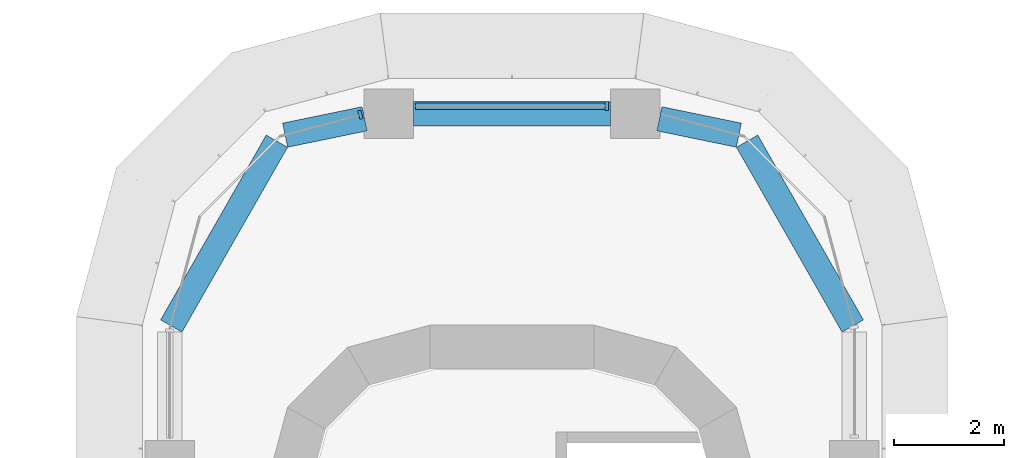
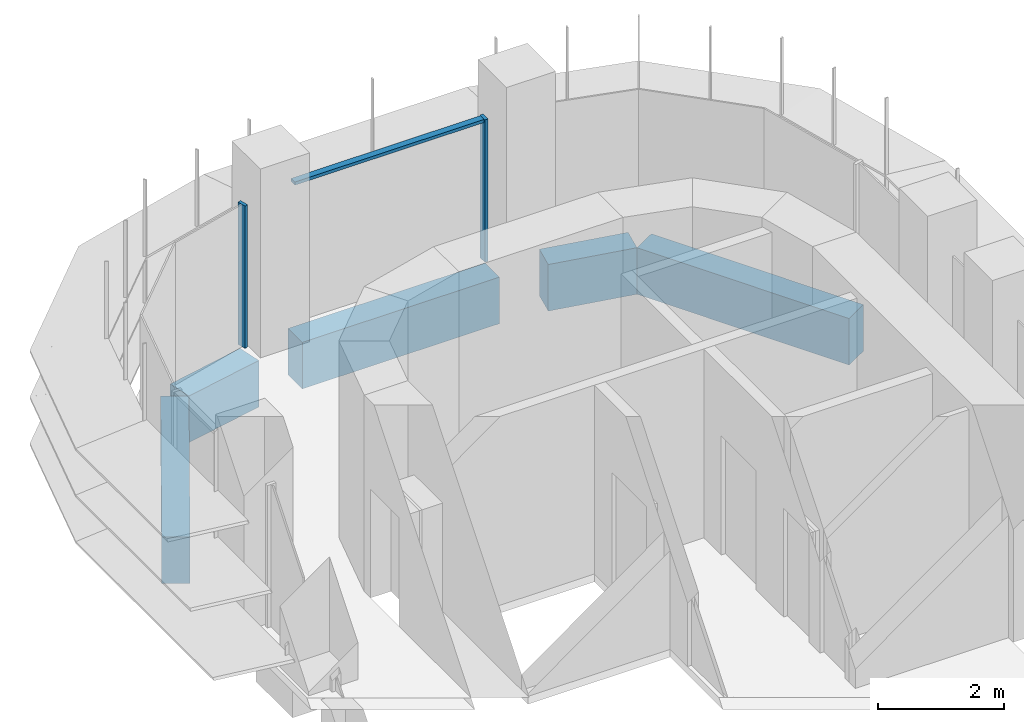
# One storey, part 12 of 23: 5 beams, 3 members, 2 elements without a shape of their own.
"""IFC4 building model written with IfcOpenShell, lengths in metres."""

from ifc_helpers import new_model, si_unit, direction, frame, origin, origin_2d, place, context, subcontext, project, spatial, polyline, rectangle, outline, extrude, source, transform, mapped, material, material_profile, profile_set, type_object, element, aggregate, save


model = new_model("IFC4")

# Units and contexts
model_context = context("Model", 3, precision=1e-05, world=origin(), true_north=direction((0.0, 1.0)))
body_context = subcontext(model_context, "Body", "Model", "MODEL_VIEW")
ifc_project = project(units=[si_unit("LENGTHUNIT", "METRE"), si_unit("AREAUNIT", "SQUARE_METRE"), si_unit("VOLUMEUNIT", "CUBIC_METRE"), si_unit("PLANEANGLEUNIT", "RADIAN"), si_unit("MASSUNIT", "GRAM", prefix="KILO")], contexts=[model_context])

# Site, building, storey
site_placement = place(None, origin())
site = spatial("IfcSite", under=ifc_project, at=site_placement, CompositionType="ELEMENT")
building_placement = place(site_placement, origin())
building = spatial("IfcBuilding", under=site, at=building_placement, Name="Zarbagh Exchange Tower", CompositionType="ELEMENT")
storey_placement = place(building_placement, frame((0.0, 0.0, 86.60009765625)))
storey = spatial("IfcBuildingStorey", under=building, at=storey_placement, Name="L19", CompositionType="ELEMENT", Elevation=86.60009765625)

# Beams
ifc_material_1 = material(Name="Concrete C60/75", Category="concrete")
ifc_material_profile = material_profile(ifc_material_1, rectangle(XDim=0.449951171875, YDim=0.89990234375, at=origin_2d()), Name="RC spandrel beam 450 x 900 C60/75")
ifc_profile_set = profile_set([ifc_material_profile], Name="Concrete C60/75")
beam_type = type_object("IfcBeamType", Name="RC spandrel beam 450 x 900 C60/75", PredefinedType="SPANDREL", material=ifc_profile_set)
beam_1_placement = place(storey_placement, frame((-6.22021484375, 29.236083984375, -0.60009765625), z_axis=(0.496220109488, 0.868196753587, 0.0), x_axis=(-0.868196753587, 0.496220109488, 0.0)))
element("IfcBeam", 1, at=beam_1_placement, inside=storey, type_object=beam_type, Name="RC spandrel beam", PredefinedType="SPANDREL", context=body_context, shape_type="SweptSolid", body=[
    extrude(rectangle(XDim=0.449951171875, YDim=0.89990234375, at=origin_2d()), origin(), (0.0, 0.0, 1.0), 3.88671875),
])
beam_2_placement = place(storey_placement, frame((-4.1416015625, 32.719482421875, -0.60009765625), z_axis=(0.979344889919, 0.202196900544, 0.0), x_axis=(-0.202196900544, 0.979344889919, 0.0)))
element("IfcBeam", 2, at=beam_2_placement, inside=storey, type_object=beam_type, Name="RC spandrel beam", PredefinedType="SPANDREL", context=body_context, shape_type="SweptSolid", body=[
    extrude(rectangle(XDim=0.449951171875, YDim=0.89990234375, at=origin_2d()), origin(), (0.0, 0.0, 1.0), 1.4814453125),
])
beam_3_placement = place(storey_placement, frame((-1.800048828125, 33.110107421875, -0.60009765625), z_axis=(1.0, 0.0, 0.0), x_axis=(0.0, 1.0, 0.0)))
element("IfcBeam", 3, at=beam_3_placement, inside=storey, type_object=beam_type, Name="RC spandrel beam", PredefinedType="SPANDREL", context=body_context, shape_type="SweptSolid", body=[
    extrude(rectangle(XDim=0.449951171875, YDim=0.89990234375, at=origin_2d()), origin(), (0.0, 0.0, 1.0), 3.60009765625),
])
beam_4_placement = place(storey_placement, frame((2.690673828125, 33.01904296875, -0.60009765625), z_axis=(0.979344889919, -0.202196900544, 0.0), x_axis=(0.202196900544, 0.979344889919, 0.0)))
element("IfcBeam", 4, at=beam_4_placement, inside=storey, type_object=beam_type, Name="RC spandrel beam", PredefinedType="SPANDREL", context=body_context, shape_type="SweptSolid", body=[
    extrude(rectangle(XDim=0.449951171875, YDim=0.89990234375, at=origin_2d()), origin(), (0.0, 0.0, 1.0), 1.4814453125),
])
beam_5_placement = place(storey_placement, frame((4.29150390625, 32.610595703125, -0.60009765625), z_axis=(0.496220109488, -0.868196753587, 0.0), x_axis=(0.868196753587, 0.496220109488, 0.0)))
element("IfcBeam", 5, at=beam_5_placement, inside=storey, type_object=beam_type, Name="RC spandrel beam", PredefinedType="SPANDREL", context=body_context, shape_type="SweptSolid", body=[
    extrude(rectangle(XDim=0.449951171875, YDim=0.89990234375, at=origin_2d()), origin(), (0.0, 0.0, 1.0), 3.88671875),
])

# Curtain wall, member
ifc_material_2 = material(Name="Anodised aluminium frame and glazing", Category="aluminium")
curtain_wall_type = type_object("IfcCurtainWallType", Name="CWA Ribbon glazing, lower zones", PredefinedType="NOTDEFINED", material=ifc_material_2)
curtain_wall_1_placement = place(storey_placement, origin())
curtain_wall_1 = element("IfcCurtainWall", 6, at=curtain_wall_1_placement, inside=storey, type_object=curtain_wall_type, Name="CWA24 curtain wall", PredefinedType="NOTDEFINED")
ifc_material_3 = material(Name="Anodised aluminium frame", Category="aluminium")
member_type_1 = type_object("IfcMemberType", Name="MUA Mullion, anodised aluminium frame", PredefinedType="MULLION", material=ifc_material_3)
shared_shape_1 = source(origin(), body_context, "Body", "SweptSolid", [
    extrude(outline(polyline([(0.0, -0.080078125), (0.06005859375, -0.080078125), (0.06005859375, 0.080078125), (0.0, 0.080078125), (0.0, -0.080078125)])), origin(), (0.0, 0.0, 1.0), 2.75),
])
placement = place(storey_placement, origin())
member_1 = element("IfcMember", 7, at=placement, type_object=member_type_1, Name="CWA24 mullion 1.1", PredefinedType="MULLION", context=body_context, shape_type="MappedRepresentation", body=[
    mapped(shared_shape_1, transform((1.760009765625, 33.25, 0.0), x_axis=(-1.0, 0.0, 0.0), y_axis=(0.0, -1.0, 0.0), z_axis=(0.0, 0.0, 1.0))),
])

curtain_wall_2_placement = place(storey_placement, origin())
curtain_wall_2 = element("IfcCurtainWall", 8, at=curtain_wall_2_placement, inside=storey, type_object=curtain_wall_type, Name="CWA25 curtain wall", PredefinedType="NOTDEFINED")
member_2 = element("IfcMember", 9, at=placement, type_object=member_type_1, Name="CWA25 mullion 1.1", PredefinedType="MULLION", context=body_context, shape_type="MappedRepresentation", body=[
    mapped(shared_shape_1, transform((-2.739990234375, 33.10107421875, 0.0), x_axis=(-0.965924289636, -0.258824779902, 0.0), y_axis=(0.258824779902, -0.965924289636, 0.0), z_axis=(0.0, 0.0, 1.0))),
])
aggregate(curtain_wall_2, [member_2])

# Member
member_type_2 = type_object("IfcMemberType", Name="TRA Transom, anodised aluminium frame", PredefinedType="USERDEFINED", material=ifc_material_3)
shared_shape_2 = source(origin(), body_context, "Body", "SweptSolid", [
    extrude(outline(polyline([(-0.06005859375, -0.06005859375), (0.0, -0.06005859375), (0.0, 0.06005859375), (-0.06005859375, 0.06005859375), (-0.06005859375, -0.06005859375)])), origin(), (0.0, 0.0, 1.0), 3.4599609375),
])
member_3 = element("IfcMember", 10, at=placement, type_object=member_type_2, Name="CWA24 transom 1.1", ObjectType="TRANSOM", PredefinedType="USERDEFINED", context=body_context, shape_type="MappedRepresentation", body=[
    mapped(shared_shape_2, transform((1.699951171875, 33.25, 2.75), x_axis=(0.0, 0.0, 1.0), y_axis=(0.0, 1.0, 0.0), z_axis=(-1.0, 0.0, 0.0))),
])

aggregate(curtain_wall_1, [member_1, member_3])

save(model, "model.ifc")
